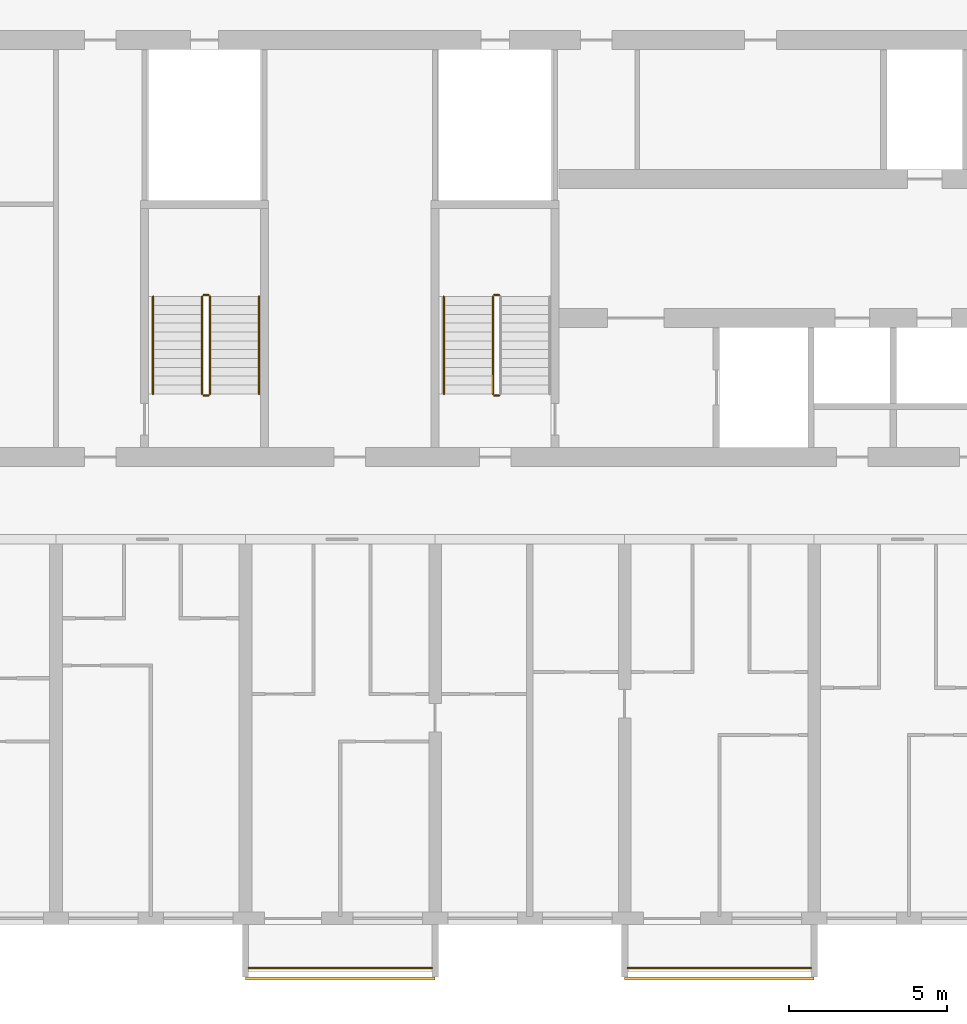
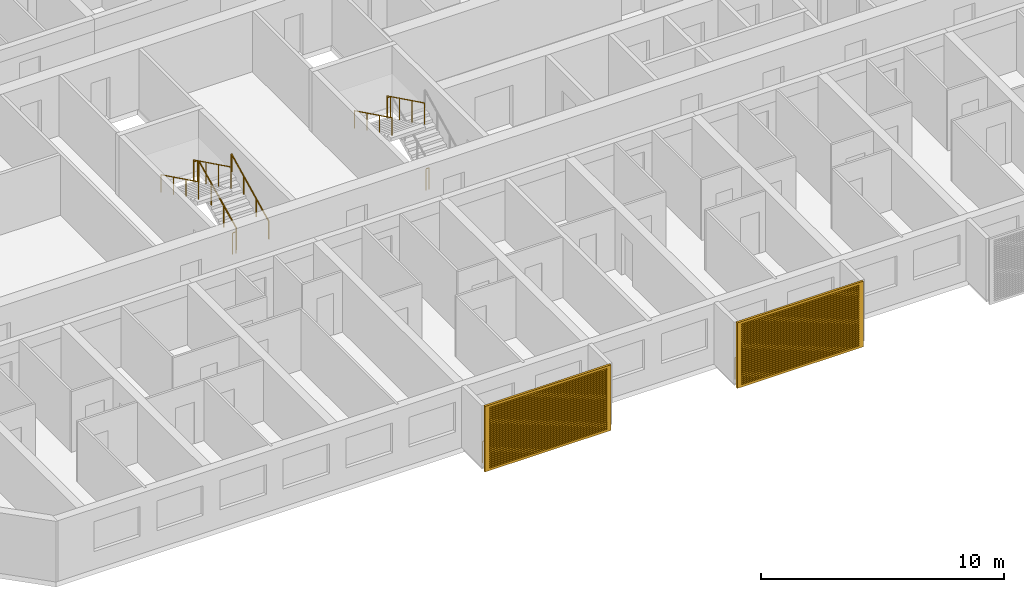
# One storey, part 21 of 44: 12 railings, 2 shading devices.
"""IFC4 building model written with IfcOpenShell, lengths in metres."""

from ifc_helpers import new_model, si_unit, direction, frame, origin, origin_2d, place, context, subcontext, project, spatial, polyline, circle, outline, extrude, source, transform, mapped, material, material_profile, profile_set, type_object, element, save


model = new_model("IFC4")

# Units and contexts
model_context = context("Model", 3, precision=1e-05, world=origin(), true_north=direction((0.0, 1.0)))
body_context = subcontext(model_context, "Body", "Model", "MODEL_VIEW")
ifc_project = project(units=[si_unit("LENGTHUNIT", "METRE"), si_unit("AREAUNIT", "SQUARE_METRE"), si_unit("VOLUMEUNIT", "CUBIC_METRE"), si_unit("PLANEANGLEUNIT", "RADIAN"), si_unit("MASSUNIT", "GRAM", prefix="KILO")], contexts=[model_context])

# Site, building, storey
site_placement = place(None, origin())
site = spatial("IfcSite", under=ifc_project, at=site_placement, CompositionType="ELEMENT")
building_placement = place(site_placement, origin())
building = spatial("IfcBuilding", under=site, at=building_placement, Name="Poui Terraces", CompositionType="ELEMENT")
storey_placement = place(building_placement, frame((0.0, 0.0, 26.699951171875)))
storey = spatial("IfcBuildingStorey", under=building, at=storey_placement, Name="L06", CompositionType="ELEMENT", Elevation=26.699951171875)

# Railings
ifc_material_1 = material(Name="Painted steel fretwork", Category="steel")
railing_type_1 = type_object("IfcRailingType", Name="BALCONY GUARD 1100", PredefinedType="GUARDRAIL", material=ifc_material_1)
for number, where, name in (
    (1, (24.10009765625, -1.570068359375, 0.0), "BALCONY GUARD"),
    (2, (36.10009765625, -1.570068359375, 0.0), "BALCONY GUARD"),
):
    element("IfcRailing", number, at=place(storey_placement, frame(where)), inside=storey, type_object=railing_type_1, Name=name, PredefinedType="GUARDRAIL", context=body_context, shape_type="SweptSolid", body=[
        extrude(circle(Radius=0.02392578125, at=origin_2d()), frame((0.0, 0.0, 1.076171875), z_axis=(1.0, 0.0, 0.0), x_axis=(0.0, 1.0, 0.0)), (0.0, 0.0, 1.0), 5.7998046875),
        extrude(circle(Radius=0.02099609375, at=origin_2d()), origin(), (0.0, 0.0, 1.0), 1.052001953125),
        extrude(circle(Radius=0.02099609375, at=origin_2d()), frame((0.966552734375, 0.0, 0.0)), (0.0, 0.0, 1.0), 1.052001953125),
        extrude(circle(Radius=0.02099609375, at=origin_2d()), frame((1.933349609375, 0.0, 0.0)), (0.0, 0.0, 1.0), 1.052001953125),
        extrude(circle(Radius=0.02099609375, at=origin_2d()), frame((2.89990234375, 0.0, 0.0)), (0.0, 0.0, 1.0), 1.052001953125),
        extrude(circle(Radius=0.02099609375, at=origin_2d()), frame((3.866455078125, 0.0, 0.0)), (0.0, 0.0, 1.0), 1.052001953125),
        extrude(circle(Radius=0.02099609375, at=origin_2d()), frame((4.833251953125, 0.0, 0.0)), (0.0, 0.0, 1.0), 1.052001953125),
        extrude(circle(Radius=0.02099609375, at=origin_2d()), frame((5.7998046875, 0.0, 0.0)), (0.0, 0.0, 1.0), 1.052001953125),
    ])
ifc_material_2 = material(Name="Galvanised steel balustrade", Category="steel")
railing_type_2 = type_object("IfcRailingType", Name="STAIR GUARD 1100", PredefinedType="GUARDRAIL", material=ifc_material_2)
railing_1_placement = place(storey_placement, frame((32.02490234375, 19.72998046875, 1.650146484375)))
element("IfcRailing", 3, at=railing_1_placement, inside=storey, type_object=railing_type_2, Name="L06 ST-CW stair guard 2", PredefinedType="GUARDRAIL", context=body_context, shape_type="SweptSolid", body=[
    extrude(circle(Radius=0.02392578125, at=origin_2d()), frame((0.0, 0.0, 1.076171875), z_axis=(-1.0, 0.0, 0.0), x_axis=(0.0, -1.0, 0.0)), (0.0, 0.0, 1.0), 0.14990234375),
    extrude(circle(Radius=0.02099609375, at=origin_2d()), origin(), (0.0, 0.0, 1.0), 1.052001953125),
    extrude(circle(Radius=0.02099609375, at=origin_2d()), frame((-0.14990234375, 0.0, 0.0)), (0.0, 0.0, 1.0), 1.052001953125),
])
railing_2_placement = place(storey_placement, frame((31.824951171875, 19.679931640625, 1.78759765625)))
element("IfcRailing", 4, at=railing_2_placement, inside=storey, type_object=railing_type_2, Name="L06 ST-CW stair guard 3", PredefinedType="GUARDRAIL", context=body_context, shape_type="SweptSolid", body=[
    extrude(circle(Radius=0.02392578125, at=origin_2d()), frame((0.0, 0.0, 1.076171875), z_axis=(0.0, -0.897606190399, 0.440798283751), x_axis=(1.0, 0.0, 0.0)), (0.0, 0.0, 1.0), 3.43115234375),
    extrude(circle(Radius=0.02099609375, at=origin_2d()), origin(), (0.0, 0.0, 1.0), 1.052001953125),
    extrude(circle(Radius=0.02099609375, at=origin_2d()), frame((0.0, -1.026611328125, 0.504150390625)), (0.0, 0.0, 1.0), 1.052001953125),
    extrude(circle(Radius=0.02099609375, at=origin_2d()), frame((0.0, -2.05322265625, 1.00830078125)), (0.0, 0.0, 1.0), 1.052001953125),
    extrude(circle(Radius=0.02099609375, at=origin_2d()), frame((0.0, -3.079833984375, 1.512451171875)), (0.0, 0.0, 1.0), 1.052001953125),
])
railing_3_placement = place(storey_placement, frame((32.02490234375, 16.550048828125, 0.0)))
element("IfcRailing", 5, at=railing_3_placement, inside=storey, type_object=railing_type_2, Name="L06 ST-CW stair guard 4", PredefinedType="GUARDRAIL", context=body_context, shape_type="SweptSolid", body=[
    extrude(circle(Radius=0.02392578125, at=origin_2d()), frame((0.0, 0.0, 1.076171875), z_axis=(-1.0, 0.0, 0.0), x_axis=(0.0, -1.0, 0.0)), (0.0, 0.0, 1.0), 0.14990234375),
    extrude(circle(Radius=0.02099609375, at=origin_2d()), origin(), (0.0, 0.0, 1.0), 1.052001953125),
    extrude(circle(Radius=0.02099609375, at=origin_2d()), frame((-0.14990234375, 0.0, 0.0)), (0.0, 0.0, 1.0), 1.052001953125),
])
railing_4_placement = place(storey_placement, frame((22.875, 16.60009765625, 0.137451171875)))
element("IfcRailing", 6, at=railing_4_placement, inside=storey, type_object=railing_type_2, Name="L06 ST-W stair guard 1", PredefinedType="GUARDRAIL", context=body_context, shape_type="SweptSolid", body=[
    extrude(circle(Radius=0.02392578125, at=origin_2d()), frame((0.0, 0.0, 1.076171875), z_axis=(0.0, 0.897578036475, 0.440855609512), x_axis=(-1.0, 0.0, 0.0)), (0.0, 0.0, 1.0), 3.43115234375),
    extrude(circle(Radius=0.02099609375, at=origin_2d()), origin(), (0.0, 0.0, 1.0), 1.052001953125),
    extrude(circle(Radius=0.02099609375, at=origin_2d()), frame((0.0, 1.026611328125, 0.504150390625)), (0.0, 0.0, 1.0), 1.052001953125),
    extrude(circle(Radius=0.02099609375, at=origin_2d()), frame((0.0, 2.05322265625, 1.008544921875)), (0.0, 0.0, 1.0), 1.052001953125),
    extrude(circle(Radius=0.02099609375, at=origin_2d()), frame((0.0, 3.079833984375, 1.5126953125)), (0.0, 0.0, 1.0), 1.052001953125),
])
railing_5_placement = place(storey_placement, frame((22.824951171875, 19.72998046875, 1.650146484375)))
element("IfcRailing", 7, at=railing_5_placement, inside=storey, type_object=railing_type_2, Name="L06 ST-W stair guard 2", PredefinedType="GUARDRAIL", context=body_context, shape_type="SweptSolid", body=[
    extrude(circle(Radius=0.02392578125, at=origin_2d()), frame((0.0, 0.0, 1.076171875), z_axis=(-1.0, 0.0, 0.0), x_axis=(0.0, -1.0, 0.0)), (0.0, 0.0, 1.0), 0.14990234375),
    extrude(circle(Radius=0.02099609375, at=origin_2d()), origin(), (0.0, 0.0, 1.0), 1.052001953125),
    extrude(circle(Radius=0.02099609375, at=origin_2d()), frame((-0.14990234375, 0.0, 0.0)), (0.0, 0.0, 1.0), 1.052001953125),
])
railing_6_placement = place(storey_placement, frame((22.625, 19.679931640625, 1.78759765625)))
element("IfcRailing", 8, at=railing_6_placement, inside=storey, type_object=railing_type_2, Name="L06 ST-W stair guard 3", PredefinedType="GUARDRAIL", context=body_context, shape_type="SweptSolid", body=[
    extrude(circle(Radius=0.02392578125, at=origin_2d()), frame((0.0, 0.0, 1.076171875), z_axis=(0.0, -0.897606190399, 0.440798283751), x_axis=(1.0, 0.0, 0.0)), (0.0, 0.0, 1.0), 3.43115234375),
    extrude(circle(Radius=0.02099609375, at=origin_2d()), origin(), (0.0, 0.0, 1.0), 1.052001953125),
    extrude(circle(Radius=0.02099609375, at=origin_2d()), frame((0.0, -1.026611328125, 0.504150390625)), (0.0, 0.0, 1.0), 1.052001953125),
    extrude(circle(Radius=0.02099609375, at=origin_2d()), frame((0.0, -2.05322265625, 1.00830078125)), (0.0, 0.0, 1.0), 1.052001953125),
    extrude(circle(Radius=0.02099609375, at=origin_2d()), frame((0.0, -3.079833984375, 1.512451171875)), (0.0, 0.0, 1.0), 1.052001953125),
])
railing_7_placement = place(storey_placement, frame((22.824951171875, 16.550048828125, 0.0)))
element("IfcRailing", 9, at=railing_7_placement, inside=storey, type_object=railing_type_2, Name="L06 ST-W stair guard 4", PredefinedType="GUARDRAIL", context=body_context, shape_type="SweptSolid", body=[
    extrude(circle(Radius=0.02392578125, at=origin_2d()), frame((0.0, 0.0, 1.076171875), z_axis=(-1.0, 0.0, 0.0), x_axis=(0.0, -1.0, 0.0)), (0.0, 0.0, 1.0), 0.14990234375),
    extrude(circle(Radius=0.02099609375, at=origin_2d()), origin(), (0.0, 0.0, 1.0), 1.052001953125),
    extrude(circle(Radius=0.02099609375, at=origin_2d()), frame((-0.14990234375, 0.0, 0.0)), (0.0, 0.0, 1.0), 1.052001953125),
])
ifc_material_3 = material(Name="Stainless steel handrail", Category="steel")
railing_type_3 = type_object("IfcRailingType", Name="STAIR HANDRAIL 900", PredefinedType="HANDRAIL", material=ifc_material_3)
railing_8_placement = place(storey_placement, frame((30.27490234375, 19.679931640625, 1.78759765625)))
element("IfcRailing", 10, at=railing_8_placement, inside=storey, type_object=railing_type_3, Name="L06 ST-CW stair handrail 2", PredefinedType="HANDRAIL", context=body_context, shape_type="SweptSolid", body=[
    extrude(circle(Radius=0.02392578125, at=origin_2d()), frame((0.0, 0.0, 0.8759765625), z_axis=(0.0, -0.897606190399, 0.440798283751), x_axis=(1.0, 0.0, 0.0)), (0.0, 0.0, 1.0), 3.43115234375),
    extrude(circle(Radius=0.02099609375, at=origin_2d()), origin(), (0.0, 0.0, 1.0), 0.851806640625),
    extrude(circle(Radius=0.02099609375, at=origin_2d()), frame((0.0, -1.026611328125, 0.504150390625)), (0.0, 0.0, 1.0), 0.851806640625),
    extrude(circle(Radius=0.02099609375, at=origin_2d()), frame((0.0, -2.05322265625, 1.00830078125)), (0.0, 0.0, 1.0), 0.851806640625),
    extrude(circle(Radius=0.02099609375, at=origin_2d()), frame((0.0, -3.079833984375, 1.512451171875)), (0.0, 0.0, 1.0), 0.851806640625),
])
railing_9_placement = place(storey_placement, frame((24.425048828125, 16.60009765625, 0.137451171875)))
element("IfcRailing", 11, at=railing_9_placement, inside=storey, type_object=railing_type_3, Name="L06 ST-W stair handrail 1", PredefinedType="HANDRAIL", context=body_context, shape_type="SweptSolid", body=[
    extrude(circle(Radius=0.02392578125, at=origin_2d()), frame((0.0, 0.0, 0.8759765625), z_axis=(0.0, 0.897578036475, 0.440855609512), x_axis=(-1.0, 0.0, 0.0)), (0.0, 0.0, 1.0), 3.43115234375),
    extrude(circle(Radius=0.02099609375, at=origin_2d()), origin(), (0.0, 0.0, 1.0), 0.851806640625),
    extrude(circle(Radius=0.02099609375, at=origin_2d()), frame((0.0, 1.026611328125, 0.504150390625)), (0.0, 0.0, 1.0), 0.851806640625),
    extrude(circle(Radius=0.02099609375, at=origin_2d()), frame((0.0, 2.05322265625, 1.008544921875)), (0.0, 0.0, 1.0), 0.851806640625),
    extrude(circle(Radius=0.02099609375, at=origin_2d()), frame((0.0, 3.079833984375, 1.5126953125)), (0.0, 0.0, 1.0), 0.851806640625),
])
railing_10_placement = place(storey_placement, frame((21.074951171875, 19.679931640625, 1.78759765625)))
element("IfcRailing", 12, at=railing_10_placement, inside=storey, type_object=railing_type_3, Name="L06 ST-W stair handrail 2", PredefinedType="HANDRAIL", context=body_context, shape_type="SweptSolid", body=[
    extrude(circle(Radius=0.02392578125, at=origin_2d()), frame((0.0, 0.0, 0.8759765625), z_axis=(0.0, -0.897606190399, 0.440798283751), x_axis=(1.0, 0.0, 0.0)), (0.0, 0.0, 1.0), 3.43115234375),
    extrude(circle(Radius=0.02099609375, at=origin_2d()), origin(), (0.0, 0.0, 1.0), 0.851806640625),
    extrude(circle(Radius=0.02099609375, at=origin_2d()), frame((0.0, -1.026611328125, 0.504150390625)), (0.0, 0.0, 1.0), 0.851806640625),
    extrude(circle(Radius=0.02099609375, at=origin_2d()), frame((0.0, -2.05322265625, 1.00830078125)), (0.0, 0.0, 1.0), 0.851806640625),
    extrude(circle(Radius=0.02099609375, at=origin_2d()), frame((0.0, -3.079833984375, 1.512451171875)), (0.0, 0.0, 1.0), 0.851806640625),
])

# Shading devices
ifc_material_4 = material(Name="Aluminium louvre", Category="aluminium")
ifc_material_profile = material_profile(ifc_material_4, outline(polyline([(-3.0, -1.64990234375), (3.0, -1.64990234375), (3.0, 1.64990234375), (-3.0, 1.64990234375), (-3.0, -1.64990234375)]), holes=[polyline([(-2.800048828125, -1.530029296875), (2.800048828125, -1.530029296875), (2.800048828125, -1.469970703125), (-2.800048828125, -1.469970703125), (-2.800048828125, -1.530029296875)]), polyline([(-2.800048828125, -1.429931640625), (2.800048828125, -1.429931640625), (2.800048828125, -1.3701171875), (-2.800048828125, -1.3701171875), (-2.800048828125, -1.429931640625)]), polyline([(-2.800048828125, -1.330078125), (2.800048828125, -1.330078125), (2.800048828125, -1.27001953125), (-2.800048828125, -1.27001953125), (-2.800048828125, -1.330078125)]), polyline([(-2.800048828125, -1.22998046875), (2.800048828125, -1.22998046875), (2.800048828125, -1.169921875), (-2.800048828125, -1.169921875), (-2.800048828125, -1.22998046875)]), polyline([(-2.800048828125, -1.1298828125), (2.800048828125, -1.1298828125), (2.800048828125, -1.070068359375), (-2.800048828125, -1.070068359375), (-2.800048828125, -1.1298828125)]), polyline([(-2.800048828125, -1.030029296875), (2.800048828125, -1.030029296875), (2.800048828125, -0.969970703125), (-2.800048828125, -0.969970703125), (-2.800048828125, -1.030029296875)]), polyline([(-2.800048828125, -0.929931640625), (2.800048828125, -0.929931640625), (2.800048828125, -0.8701171875), (-2.800048828125, -0.8701171875), (-2.800048828125, -0.929931640625)]), polyline([(-2.800048828125, -0.830078125), (2.800048828125, -0.830078125), (2.800048828125, -0.77001953125), (-2.800048828125, -0.77001953125), (-2.800048828125, -0.830078125)]), polyline([(-2.800048828125, -0.72998046875), (2.800048828125, -0.72998046875), (2.800048828125, -0.669921875), (-2.800048828125, -0.669921875), (-2.800048828125, -0.72998046875)]), polyline([(-2.800048828125, -0.6298828125), (2.800048828125, -0.6298828125), (2.800048828125, -0.570068359375), (-2.800048828125, -0.570068359375), (-2.800048828125, -0.6298828125)]), polyline([(-2.800048828125, -0.530029296875), (2.800048828125, -0.530029296875), (2.800048828125, -0.469970703125), (-2.800048828125, -0.469970703125), (-2.800048828125, -0.530029296875)]), polyline([(-2.800048828125, -0.429931640625), (2.800048828125, -0.429931640625), (2.800048828125, -0.3701171875), (-2.800048828125, -0.3701171875), (-2.800048828125, -0.429931640625)]), polyline([(-2.800048828125, -0.330078125), (2.800048828125, -0.330078125), (2.800048828125, -0.27001953125), (-2.800048828125, -0.27001953125), (-2.800048828125, -0.330078125)]), polyline([(-2.800048828125, -0.22998046875), (2.800048828125, -0.22998046875), (2.800048828125, -0.169921875), (-2.800048828125, -0.169921875), (-2.800048828125, -0.22998046875)]), polyline([(-2.800048828125, -0.1298828125), (2.800048828125, -0.1298828125), (2.800048828125, -0.070068359375), (-2.800048828125, -0.070068359375), (-2.800048828125, -0.1298828125)]), polyline([(-2.800048828125, -0.030029296875), (2.800048828125, -0.030029296875), (2.800048828125, 0.030029296875), (-2.800048828125, 0.030029296875), (-2.800048828125, -0.030029296875)]), polyline([(-2.800048828125, 0.070068359375), (2.800048828125, 0.070068359375), (2.800048828125, 0.1298828125), (-2.800048828125, 0.1298828125), (-2.800048828125, 0.070068359375)]), polyline([(-2.800048828125, 0.169921875), (2.800048828125, 0.169921875), (2.800048828125, 0.22998046875), (-2.800048828125, 0.22998046875), (-2.800048828125, 0.169921875)]), polyline([(-2.800048828125, 0.27001953125), (2.800048828125, 0.27001953125), (2.800048828125, 0.330078125), (-2.800048828125, 0.330078125), (-2.800048828125, 0.27001953125)]), polyline([(-2.800048828125, 0.3701171875), (2.800048828125, 0.3701171875), (2.800048828125, 0.429931640625), (-2.800048828125, 0.429931640625), (-2.800048828125, 0.3701171875)]), polyline([(-2.800048828125, 0.469970703125), (2.800048828125, 0.469970703125), (2.800048828125, 0.530029296875), (-2.800048828125, 0.530029296875), (-2.800048828125, 0.469970703125)]), polyline([(-2.800048828125, 0.570068359375), (2.800048828125, 0.570068359375), (2.800048828125, 0.6298828125), (-2.800048828125, 0.6298828125), (-2.800048828125, 0.570068359375)]), polyline([(-2.800048828125, 0.669921875), (2.800048828125, 0.669921875), (2.800048828125, 0.72998046875), (-2.800048828125, 0.72998046875), (-2.800048828125, 0.669921875)]), polyline([(-2.800048828125, 0.77001953125), (2.800048828125, 0.77001953125), (2.800048828125, 0.830078125), (-2.800048828125, 0.830078125), (-2.800048828125, 0.77001953125)]), polyline([(-2.800048828125, 0.8701171875), (2.800048828125, 0.8701171875), (2.800048828125, 0.929931640625), (-2.800048828125, 0.929931640625), (-2.800048828125, 0.8701171875)]), polyline([(-2.800048828125, 0.969970703125), (2.800048828125, 0.969970703125), (2.800048828125, 1.030029296875), (-2.800048828125, 1.030029296875), (-2.800048828125, 0.969970703125)]), polyline([(-2.800048828125, 1.070068359375), (2.800048828125, 1.070068359375), (2.800048828125, 1.1298828125), (-2.800048828125, 1.1298828125), (-2.800048828125, 1.070068359375)]), polyline([(-2.800048828125, 1.169921875), (2.800048828125, 1.169921875), (2.800048828125, 1.22998046875), (-2.800048828125, 1.22998046875), (-2.800048828125, 1.169921875)]), polyline([(-2.800048828125, 1.27001953125), (2.800048828125, 1.27001953125), (2.800048828125, 1.330078125), (-2.800048828125, 1.330078125), (-2.800048828125, 1.27001953125)]), polyline([(-2.800048828125, 1.3701171875), (2.800048828125, 1.3701171875), (2.800048828125, 1.429931640625), (-2.800048828125, 1.429931640625), (-2.800048828125, 1.3701171875)]), polyline([(-2.800048828125, 1.469970703125), (2.800048828125, 1.469970703125), (2.800048828125, 1.530029296875), (-2.800048828125, 1.530029296875), (-2.800048828125, 1.469970703125)])]), Name="JALOUSIE LOUVRE SHUTTER 6000X3300")
ifc_profile_set = profile_set([ifc_material_profile], Name="Aluminium louvre")
shading_device_type = type_object("IfcShadingDeviceType", Name="JALOUSIE LOUVRE SHUTTER 6000X3300", PredefinedType="JALOUSIE", material=ifc_profile_set)
shared_shape = source(origin(), body_context, "Body", "SweptSolid", [
    extrude(outline(polyline([(-3.0, -1.64990234375), (3.0, -1.64990234375), (3.0, 1.64990234375), (-3.0, 1.64990234375), (-3.0, -1.64990234375)]), holes=[polyline([(-2.800048828125, -1.530029296875), (2.800048828125, -1.530029296875), (2.800048828125, -1.469970703125), (-2.800048828125, -1.469970703125), (-2.800048828125, -1.530029296875)]), polyline([(-2.800048828125, -1.429931640625), (2.800048828125, -1.429931640625), (2.800048828125, -1.3701171875), (-2.800048828125, -1.3701171875), (-2.800048828125, -1.429931640625)]), polyline([(-2.800048828125, -1.330078125), (2.800048828125, -1.330078125), (2.800048828125, -1.27001953125), (-2.800048828125, -1.27001953125), (-2.800048828125, -1.330078125)]), polyline([(-2.800048828125, -1.22998046875), (2.800048828125, -1.22998046875), (2.800048828125, -1.169921875), (-2.800048828125, -1.169921875), (-2.800048828125, -1.22998046875)]), polyline([(-2.800048828125, -1.1298828125), (2.800048828125, -1.1298828125), (2.800048828125, -1.070068359375), (-2.800048828125, -1.070068359375), (-2.800048828125, -1.1298828125)]), polyline([(-2.800048828125, -1.030029296875), (2.800048828125, -1.030029296875), (2.800048828125, -0.969970703125), (-2.800048828125, -0.969970703125), (-2.800048828125, -1.030029296875)]), polyline([(-2.800048828125, -0.929931640625), (2.800048828125, -0.929931640625), (2.800048828125, -0.8701171875), (-2.800048828125, -0.8701171875), (-2.800048828125, -0.929931640625)]), polyline([(-2.800048828125, -0.830078125), (2.800048828125, -0.830078125), (2.800048828125, -0.77001953125), (-2.800048828125, -0.77001953125), (-2.800048828125, -0.830078125)]), polyline([(-2.800048828125, -0.72998046875), (2.800048828125, -0.72998046875), (2.800048828125, -0.669921875), (-2.800048828125, -0.669921875), (-2.800048828125, -0.72998046875)]), polyline([(-2.800048828125, -0.6298828125), (2.800048828125, -0.6298828125), (2.800048828125, -0.570068359375), (-2.800048828125, -0.570068359375), (-2.800048828125, -0.6298828125)]), polyline([(-2.800048828125, -0.530029296875), (2.800048828125, -0.530029296875), (2.800048828125, -0.469970703125), (-2.800048828125, -0.469970703125), (-2.800048828125, -0.530029296875)]), polyline([(-2.800048828125, -0.429931640625), (2.800048828125, -0.429931640625), (2.800048828125, -0.3701171875), (-2.800048828125, -0.3701171875), (-2.800048828125, -0.429931640625)]), polyline([(-2.800048828125, -0.330078125), (2.800048828125, -0.330078125), (2.800048828125, -0.27001953125), (-2.800048828125, -0.27001953125), (-2.800048828125, -0.330078125)]), polyline([(-2.800048828125, -0.22998046875), (2.800048828125, -0.22998046875), (2.800048828125, -0.169921875), (-2.800048828125, -0.169921875), (-2.800048828125, -0.22998046875)]), polyline([(-2.800048828125, -0.1298828125), (2.800048828125, -0.1298828125), (2.800048828125, -0.070068359375), (-2.800048828125, -0.070068359375), (-2.800048828125, -0.1298828125)]), polyline([(-2.800048828125, -0.030029296875), (2.800048828125, -0.030029296875), (2.800048828125, 0.030029296875), (-2.800048828125, 0.030029296875), (-2.800048828125, -0.030029296875)]), polyline([(-2.800048828125, 0.070068359375), (2.800048828125, 0.070068359375), (2.800048828125, 0.1298828125), (-2.800048828125, 0.1298828125), (-2.800048828125, 0.070068359375)]), polyline([(-2.800048828125, 0.169921875), (2.800048828125, 0.169921875), (2.800048828125, 0.22998046875), (-2.800048828125, 0.22998046875), (-2.800048828125, 0.169921875)]), polyline([(-2.800048828125, 0.27001953125), (2.800048828125, 0.27001953125), (2.800048828125, 0.330078125), (-2.800048828125, 0.330078125), (-2.800048828125, 0.27001953125)]), polyline([(-2.800048828125, 0.3701171875), (2.800048828125, 0.3701171875), (2.800048828125, 0.429931640625), (-2.800048828125, 0.429931640625), (-2.800048828125, 0.3701171875)]), polyline([(-2.800048828125, 0.469970703125), (2.800048828125, 0.469970703125), (2.800048828125, 0.530029296875), (-2.800048828125, 0.530029296875), (-2.800048828125, 0.469970703125)]), polyline([(-2.800048828125, 0.570068359375), (2.800048828125, 0.570068359375), (2.800048828125, 0.6298828125), (-2.800048828125, 0.6298828125), (-2.800048828125, 0.570068359375)]), polyline([(-2.800048828125, 0.669921875), (2.800048828125, 0.669921875), (2.800048828125, 0.72998046875), (-2.800048828125, 0.72998046875), (-2.800048828125, 0.669921875)]), polyline([(-2.800048828125, 0.77001953125), (2.800048828125, 0.77001953125), (2.800048828125, 0.830078125), (-2.800048828125, 0.830078125), (-2.800048828125, 0.77001953125)]), polyline([(-2.800048828125, 0.8701171875), (2.800048828125, 0.8701171875), (2.800048828125, 0.929931640625), (-2.800048828125, 0.929931640625), (-2.800048828125, 0.8701171875)]), polyline([(-2.800048828125, 0.969970703125), (2.800048828125, 0.969970703125), (2.800048828125, 1.030029296875), (-2.800048828125, 1.030029296875), (-2.800048828125, 0.969970703125)]), polyline([(-2.800048828125, 1.070068359375), (2.800048828125, 1.070068359375), (2.800048828125, 1.1298828125), (-2.800048828125, 1.1298828125), (-2.800048828125, 1.070068359375)]), polyline([(-2.800048828125, 1.169921875), (2.800048828125, 1.169921875), (2.800048828125, 1.22998046875), (-2.800048828125, 1.22998046875), (-2.800048828125, 1.169921875)]), polyline([(-2.800048828125, 1.27001953125), (2.800048828125, 1.27001953125), (2.800048828125, 1.330078125), (-2.800048828125, 1.330078125), (-2.800048828125, 1.27001953125)]), polyline([(-2.800048828125, 1.3701171875), (2.800048828125, 1.3701171875), (2.800048828125, 1.429931640625), (-2.800048828125, 1.429931640625), (-2.800048828125, 1.3701171875)]), polyline([(-2.800048828125, 1.469970703125), (2.800048828125, 1.469970703125), (2.800048828125, 1.530029296875), (-2.800048828125, 1.530029296875), (-2.800048828125, 1.469970703125)])]), origin(), (0.0, 0.0, 1.0), 0.099853515625),
])
for number, where, z_axis, x_axis, name in (
    (13, (27.0, -1.85009765625, 1.449951171875), (0.0, -1.0, 0.0), (1.0, 0.0, 0.0), "JALOUSIE LOUVRE SHUTTER"),
    (14, (39.0, -1.85009765625, 1.449951171875), (0.0, -1.0, 0.0), (1.0, 0.0, 0.0), "JALOUSIE LOUVRE SHUTTER"),
):
    element("IfcShadingDevice", number, at=place(storey_placement, frame(where, z_axis=z_axis, x_axis=x_axis)), inside=storey, type_object=shading_device_type, Name=name, PredefinedType="JALOUSIE", context=body_context, shape_type="MappedRepresentation", body=[
        mapped(shared_shape, transform((0.0, 0.0, 0.0))),
    ])

save(model, "model.ifc")
